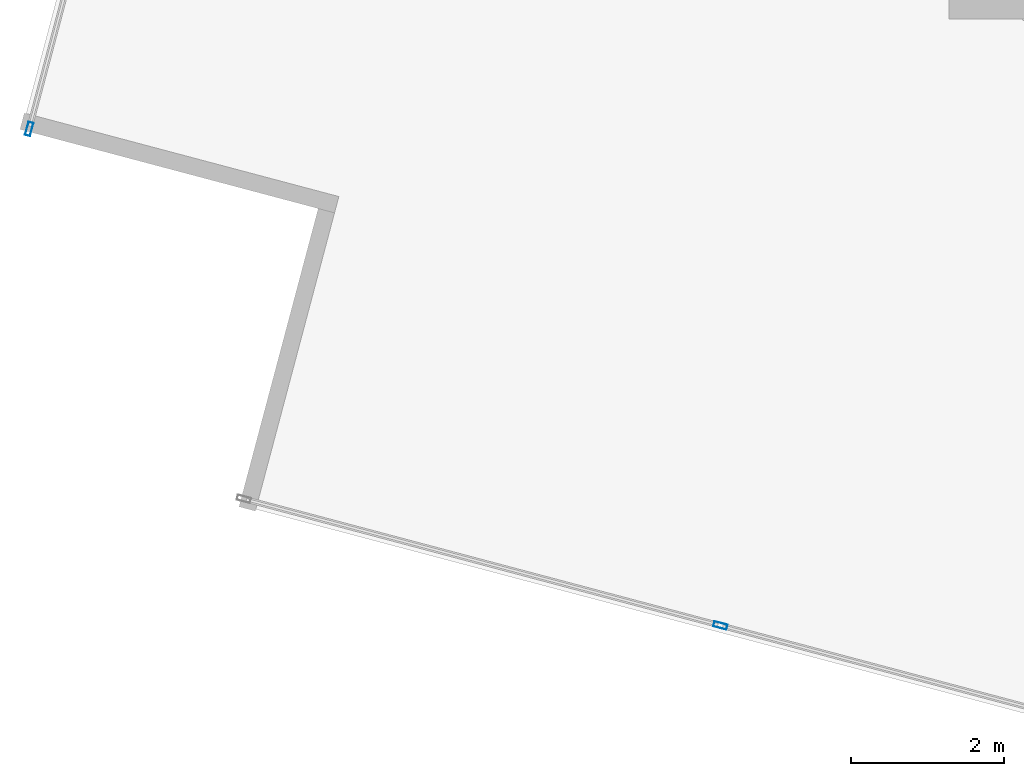
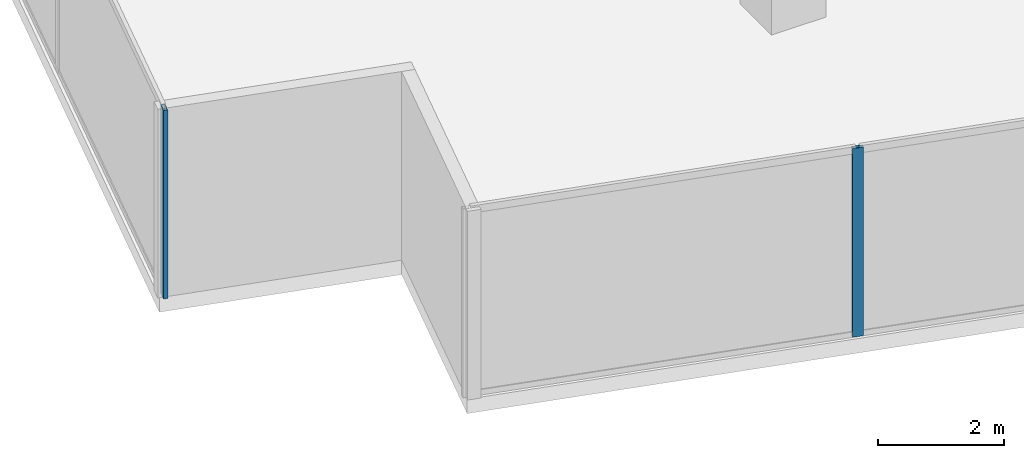
# One storey, part 3 of 27: 2 members, 2 elements without a shape of their own.
"""IFC4 building model written with IfcOpenShell, lengths in metres."""

from ifc_helpers import new_model, si_unit, direction, frame, origin, origin_2d, place, context, subcontext, project, spatial, hollow_rectangle, extrude, source, transform, mapped, material, material_profile, profile_set, type_object, type_shapes, element, aggregate, save


model = new_model("IFC4")

# Units and contexts
model_context = context("Model", 3, precision=1e-05, world=origin(), true_north=direction((0.0, 1.0)))
body_context = subcontext(model_context, "Body", "Model", "MODEL_VIEW")
ifc_project = project(units=[si_unit("LENGTHUNIT", "METRE"), si_unit("AREAUNIT", "SQUARE_METRE"), si_unit("VOLUMEUNIT", "CUBIC_METRE"), si_unit("PLANEANGLEUNIT", "RADIAN"), si_unit("MASSUNIT", "GRAM", prefix="KILO")], contexts=[model_context])

# Site, building, storey
site_placement = place(None, origin())
site = spatial("IfcSite", under=ifc_project, at=site_placement, CompositionType="ELEMENT")
building_placement = place(site_placement, origin())
building = spatial("IfcBuilding", under=site, at=building_placement, Name="Krantzveldt Concourse Tower", CompositionType="ELEMENT")
storey_placement = place(building_placement, frame((0.0, 0.0, 97.949951171875)))
storey = spatial("IfcBuildingStorey", under=building, at=storey_placement, Name="L23", CompositionType="ELEMENT", Elevation=97.949951171875)

# Curtain wall, member
ifc_material = material(Name="Anodised aluminium 6063-T6", Category="aluminium")
curtain_wall_type = type_object("IfcCurtainWallType", Name="CW2", PredefinedType="USERDEFINED", material=ifc_material)
curtain_wall_1_placement = place(storey_placement, origin())
curtain_wall_1 = element("IfcCurtainWall", 1, at=curtain_wall_1_placement, inside=storey, type_object=curtain_wall_type, Name="CW-L23-F01", ObjectType="UNITISED CURTAIN WALL", PredefinedType="USERDEFINED")
ifc_material_profile = material_profile(ifc_material, hollow_rectangle(XDim=0.070068359375, YDim=0.179931640625, WallThickness=0.0048828125, at=origin_2d()), Name="Anodised aluminium 6063-T6", Category="aluminium")
ifc_profile_set = profile_set([ifc_material_profile], Name="Anodised aluminium 6063-T6 - ALU-MULL 180x70x5")
member_type = type_object("IfcMemberType", Name="CW-MUL-180", PredefinedType="MULLION", material=ifc_profile_set)
shared_shape = source(origin(), body_context, "Body", "SweptSolid", [
    extrude(hollow_rectangle(XDim=0.070068359375, YDim=0.179931640625, WallThickness=0.0048828125, at=origin_2d()), origin(), (0.0, 0.0, 1.0), 3.670166015625),
])
type_shapes(member_type, [shared_shape])
member_1_placement = place(storey_placement, frame((8.5, 13.968017578125, 0.0), z_axis=(0.0, 0.0, 1.0), x_axis=(0.966488186373, -0.256711093648, 0.0)))
member_1 = element("IfcMember", 2, at=member_1_placement, type_object=member_type, Name="CW-Z12 mullion 7", PredefinedType="MULLION", context=body_context, shape_type="MappedRepresentation", body=[
    mapped(shared_shape, transform((0.0, 0.0, 0.0), x_axis=(1.0, 0.0, 0.0), y_axis=(0.0, 1.0, 0.0), z_axis=(0.0, 0.0, 1.0), scale=1.0)),
])
aggregate(curtain_wall_1, [member_1])

curtain_wall_2_placement = place(storey_placement, origin())
curtain_wall_2 = element("IfcCurtainWall", 3, at=curtain_wall_2_placement, inside=storey, type_object=curtain_wall_type, Name="CW-L23-F04", ObjectType="UNITISED CURTAIN WALL", PredefinedType="USERDEFINED")
member_2_placement = place(storey_placement, frame((17.51611328125, 7.4912109375, 0.0), z_axis=(0.0, 0.0, 1.0), x_axis=(0.256711093648, 0.966488186373, 0.0)))
member_2 = element("IfcMember", 4, at=member_2_placement, type_object=member_type, Name="CW-Z12 mullion 2", PredefinedType="MULLION", context=body_context, shape_type="MappedRepresentation", body=[
    mapped(shared_shape, transform((0.0, 0.0, 0.0), x_axis=(1.0, 0.0, 0.0), y_axis=(0.0, 1.0, 0.0), z_axis=(0.0, 0.0, 1.0), scale=1.0)),
])
aggregate(curtain_wall_2, [member_2])

save(model, "model.ifc")
